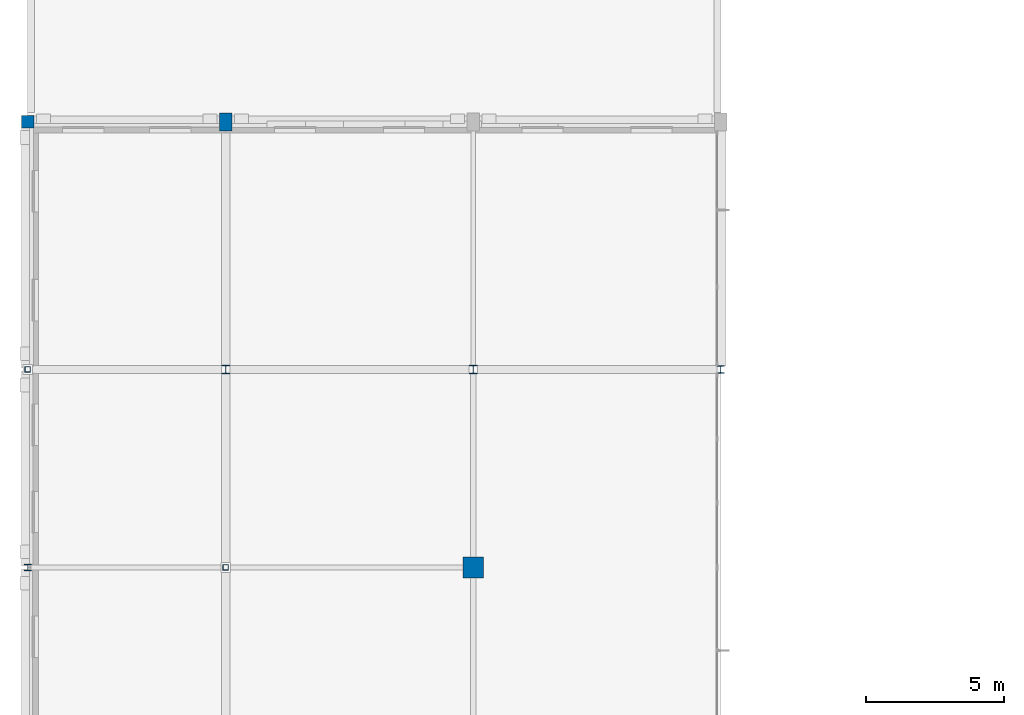
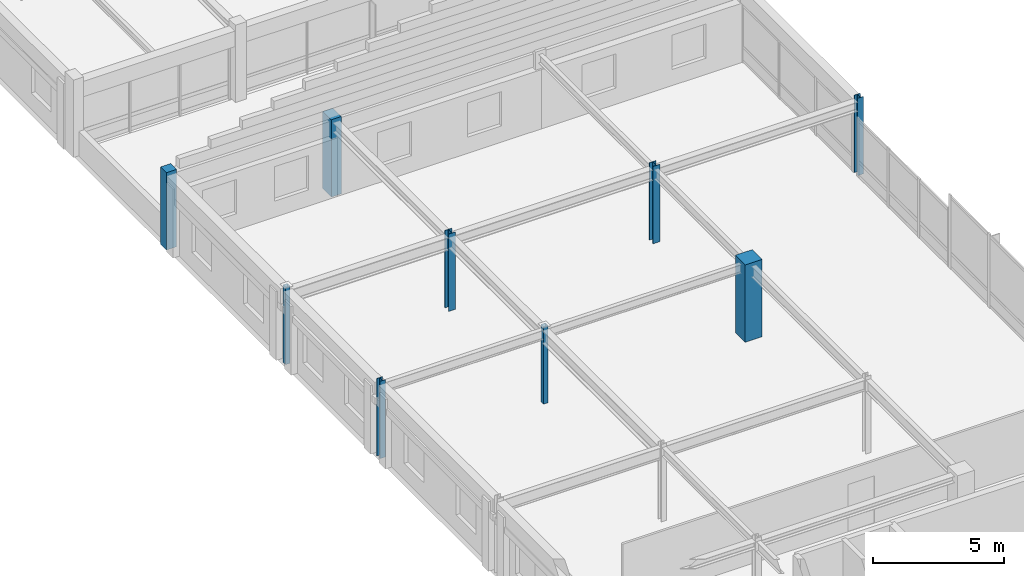
# One storey, part 4 of 74: 9 columns.
"""IFC4 building model written with IfcOpenShell, lengths in metres."""

from ifc_helpers import new_model, si_unit, direction, frame, origin, origin_2d, place, context, subcontext, project, spatial, rectangle, hollow_rectangle, i_section, extrude, material, material_profile, profile_set, type_object, element, save


model = new_model("IFC4")

# Units and contexts
model_context = context("Model", 3, precision=1e-05, world=origin(), true_north=direction((0.0, 1.0)))
body_context = subcontext(model_context, "Body", "Model", "MODEL_VIEW")
ifc_project = project(units=[si_unit("LENGTHUNIT", "METRE"), si_unit("AREAUNIT", "SQUARE_METRE"), si_unit("VOLUMEUNIT", "CUBIC_METRE"), si_unit("PLANEANGLEUNIT", "RADIAN"), si_unit("MASSUNIT", "GRAM", prefix="KILO")], contexts=[model_context])

# Site, building, storey
site_placement = place(None, origin())
site = spatial("IfcSite", under=ifc_project, at=site_placement, CompositionType="ELEMENT")
building_placement = place(site_placement, origin())
building = spatial("IfcBuilding", under=site, at=building_placement, Name="Clarverna Civic Hall", CompositionType="ELEMENT")
storey_placement = place(building_placement, frame((0.0, 0.0, 13.199951171875)))
storey = spatial("IfcBuildingStorey", under=building, at=storey_placement, Name="L03", CompositionType="ELEMENT", Elevation=13.199951171875)

# Columns
ifc_material_1 = material(Name="Concrete C35/45", Category="concrete")
ifc_material_profile_1 = material_profile(ifc_material_1, rectangle(XDim=0.449951171875, YDim=0.449951171875, at=origin_2d()), Name="RC 450x450")
ifc_profile_set_1 = profile_set([ifc_material_profile_1], Name="Concrete C35/45")
column_type_1 = type_object("IfcColumnType", Name="C-RC13", PredefinedType="COLUMN", material=ifc_profile_set_1)
column_1_placement = place(storey_placement, frame((0.0, 55.39990234375, 0.0), z_axis=(0.0, 0.0, 1.0), x_axis=(1.0, 0.0, 0.0)))
element("IfcColumn", 1, at=column_1_placement, inside=storey, type_object=column_type_1, Name="C-RC13-001", PredefinedType="COLUMN", context=body_context, shape_type="SweptSolid", body=[
    extrude(rectangle(XDim=0.449951171875, YDim=0.449951171875, at=origin_2d()), origin(), (0.0, 0.0, 1.0), 3.60009765625),
])
ifc_material_profile_2 = material_profile(ifc_material_1, rectangle(XDim=0.449951171875, YDim=0.64990234375, at=origin_2d()), Name="RC 450x650")
ifc_profile_set_2 = profile_set([ifc_material_profile_2], Name="Concrete C35/45")
column_type_2 = type_object("IfcColumnType", Name="C-RC18", PredefinedType="COLUMN", material=ifc_profile_set_2)
column_2_placement = place(storey_placement, frame((7.199951171875, 55.39990234375, 0.0), z_axis=(0.0, 0.0, 1.0), x_axis=(1.0, 0.0, 0.0)))
element("IfcColumn", 2, at=column_2_placement, inside=storey, type_object=column_type_2, Name="C-RC18-004", PredefinedType="COLUMN", context=body_context, shape_type="SweptSolid", body=[
    extrude(rectangle(XDim=0.449951171875, YDim=0.64990234375, at=origin_2d()), origin(), (0.0, 0.0, 1.0), 3.60009765625),
])
ifc_material_2 = material(Name="Concrete C40/50", Category="concrete")
ifc_material_profile_3 = material_profile(ifc_material_2, rectangle(XDim=0.75, YDim=0.75, at=origin_2d()), Name="RC 750x750")
ifc_profile_set_3 = profile_set([ifc_material_profile_3], Name="Concrete C40/50")
column_type_3 = type_object("IfcColumnType", Name="C-RC5", PredefinedType="COLUMN", material=ifc_profile_set_3)
column_3_placement = place(storey_placement, frame((16.199951171875, 39.199951171875, 0.0), z_axis=(0.0, 0.0, 1.0), x_axis=(1.0, 0.0, 0.0)))
element("IfcColumn", 3, at=column_3_placement, inside=storey, type_object=column_type_3, Name="C-RC5-013", PredefinedType="COLUMN", context=body_context, shape_type="SweptSolid", body=[
    extrude(rectangle(XDim=0.75, YDim=0.75, at=origin_2d()), origin(), (0.0, 0.0, 1.0), 3.60009765625),
])
ifc_material_3 = material(Name="Steel S355", Category="steel")
ifc_material_profile_4 = material_profile(ifc_material_3, i_section(OverallWidth=0.239990234375, OverallDepth=0.239990234375, WebThickness=0.010009765625, FlangeThickness=0.01708984375, FilletRadius=0.02099609375, at=origin_2d()), Name="HEB 240")
ifc_profile_set_4 = profile_set([ifc_material_profile_4], Name="Steel S355")
column_type_4 = type_object("IfcColumnType", Name="C-ST10", PredefinedType="COLUMN", material=ifc_profile_set_4)
column_4_placement = place(storey_placement, frame((0.0, 39.199951171875, 0.0), z_axis=(0.0, 0.0, 1.0), x_axis=(1.0, 0.0, 0.0)))
element("IfcColumn", 4, at=column_4_placement, inside=storey, type_object=column_type_4, Name="C-ST10-002", PredefinedType="COLUMN", context=body_context, shape_type="SweptSolid", body=[
    extrude(i_section(OverallWidth=0.239990234375, OverallDepth=0.239990234375, WebThickness=0.010009765625, FlangeThickness=0.01708984375, FilletRadius=0.02099609375, at=origin_2d()), origin(), (0.0, 0.0, 1.0), 3.60009765625),
])
ifc_material_profile_5 = material_profile(ifc_material_3, hollow_rectangle(XDim=0.199951171875, YDim=0.199951171875, WallThickness=0.010009765625, at=origin_2d()), Name="RHS 200x200x10.0")
ifc_profile_set_5 = profile_set([ifc_material_profile_5], Name="Steel S355")
column_type_5 = type_object("IfcColumnType", Name="C-ST18", PredefinedType="COLUMN", material=ifc_profile_set_5)
for number, where, z_axis, x_axis, name in (
    (5, (0.0, 46.39990234375, 0.0), (0.0, 0.0, 1.0), (1.0, 0.0, 0.0), "C-ST18-002"),
    (6, (7.199951171875, 39.199951171875, 0.0), (0.0, 0.0, 1.0), (1.0, 0.0, 0.0), "C-ST18-004"),
):
    element("IfcColumn", number, at=place(storey_placement, frame(where, z_axis=z_axis, x_axis=x_axis)), inside=storey, type_object=column_type_5, Name=name, PredefinedType="COLUMN", context=body_context, shape_type="SweptSolid", body=[
        extrude(hollow_rectangle(XDim=0.199951171875, YDim=0.199951171875, WallThickness=0.010009765625, at=origin_2d()), origin(), (0.0, 0.0, 1.0), 3.60009765625),
    ])
ifc_material_profile_6 = material_profile(ifc_material_3, i_section(OverallWidth=0.300048828125, OverallDepth=0.300048828125, WebThickness=0.010986328125, FlangeThickness=0.01904296875, FilletRadius=0.027099609375, at=origin_2d()), Name="HEB 300")
ifc_profile_set_6 = profile_set([ifc_material_profile_6], Name="Steel S355")
column_type_6 = type_object("IfcColumnType", Name="C-ST7", PredefinedType="COLUMN", material=ifc_profile_set_6)
for number, where, z_axis, x_axis, name in (
    (7, (7.199951171875, 46.39990234375, 0.0), (0.0, 0.0, 1.0), (1.0, 0.0, 0.0), "C-ST7-003"),
    (8, (16.199951171875, 46.39990234375, 0.0), (0.0, 0.0, 1.0), (1.0, 0.0, 0.0), "C-ST7-005"),
):
    element("IfcColumn", number, at=place(storey_placement, frame(where, z_axis=z_axis, x_axis=x_axis)), inside=storey, type_object=column_type_6, Name=name, PredefinedType="COLUMN", context=body_context, shape_type="SweptSolid", body=[
        extrude(i_section(OverallWidth=0.300048828125, OverallDepth=0.300048828125, WebThickness=0.010986328125, FlangeThickness=0.01904296875, FilletRadius=0.027099609375, at=origin_2d()), origin(), (0.0, 0.0, 1.0), 3.60009765625),
    ])
ifc_material_profile_7 = material_profile(ifc_material_3, i_section(OverallWidth=0.260009765625, OverallDepth=0.260009765625, WebThickness=0.010009765625, FlangeThickness=0.017578125, FilletRadius=0.02392578125, at=origin_2d()), Name="HEB 260")
ifc_profile_set_7 = profile_set([ifc_material_profile_7], Name="Steel S355")
column_type_7 = type_object("IfcColumnType", Name="C-ST9", PredefinedType="COLUMN", material=ifc_profile_set_7)
column_5_placement = place(storey_placement, frame((25.199951171875, 46.39990234375, 0.0), z_axis=(0.0, 0.0, 1.0), x_axis=(1.0, 0.0, 0.0)))
element("IfcColumn", 9, at=column_5_placement, inside=storey, type_object=column_type_7, Name="C-ST9-003", PredefinedType="COLUMN", context=body_context, shape_type="SweptSolid", body=[
    extrude(i_section(OverallWidth=0.260009765625, OverallDepth=0.260009765625, WebThickness=0.010009765625, FlangeThickness=0.017578125, FilletRadius=0.02392578125, at=origin_2d()), origin(), (0.0, 0.0, 1.0), 3.60009765625),
])

save(model, "model.ifc")
